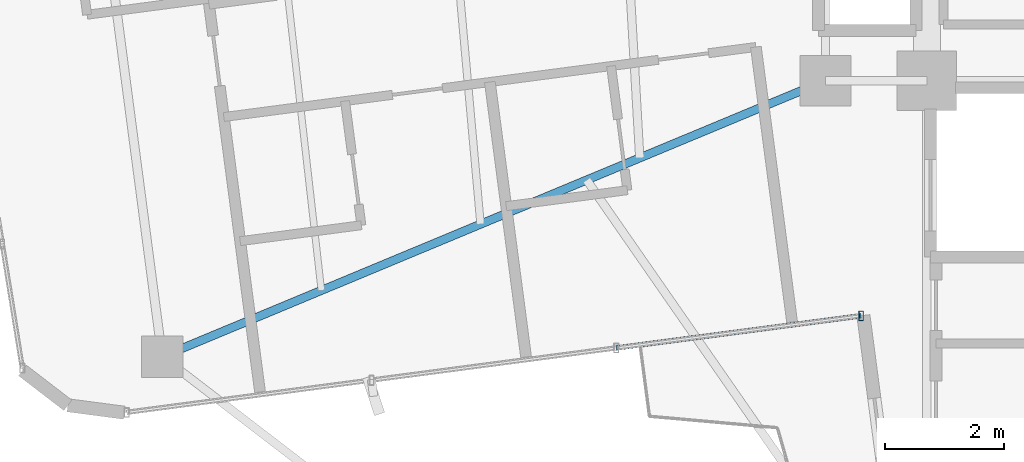
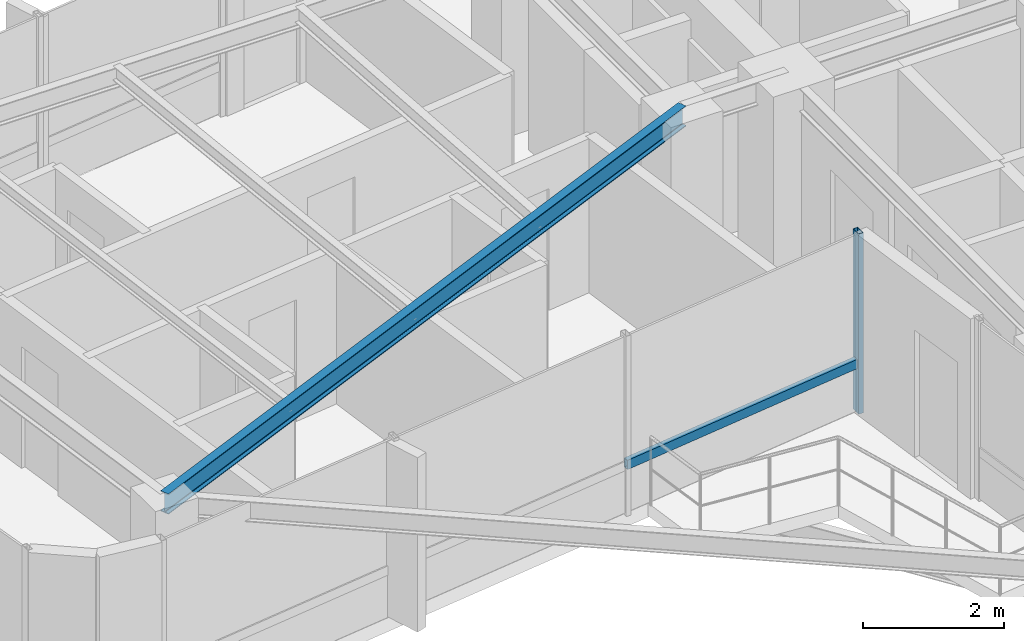
# One storey, part 3 of 21: 2 members, 1 beam, 1 element without a shape of its own.
"""IFC4 building model written with IfcOpenShell, lengths in metres."""

from ifc_helpers import new_model, si_unit, direction, frame, origin, origin_2d, place, context, subcontext, project, spatial, hollow_rectangle, i_section, extrude, source, transform, mapped, material, material_profile, profile_set, type_object, element, aggregate, save


model = new_model("IFC4")

# Units and contexts
model_context = context("Model", 3, precision=1e-05, world=origin(), true_north=direction((0.0, 1.0)))
body_context = subcontext(model_context, "Body", "Model", "MODEL_VIEW")
ifc_project = project(units=[si_unit("LENGTHUNIT", "METRE"), si_unit("AREAUNIT", "SQUARE_METRE"), si_unit("VOLUMEUNIT", "CUBIC_METRE"), si_unit("PLANEANGLEUNIT", "RADIAN"), si_unit("MASSUNIT", "GRAM", prefix="KILO")], contexts=[model_context])

# Site, building, storey
site_placement = place(None, origin())
site = spatial("IfcSite", under=ifc_project, at=site_placement, CompositionType="ELEMENT")
building_placement = place(site_placement, origin())
building = spatial("IfcBuilding", under=site, at=building_placement, Name="Sahyath Konkavel Grand Hotel", CompositionType="ELEMENT")
storey_placement = place(building_placement, frame((0.0, 0.0, 209.85009765625)))
storey = spatial("IfcBuildingStorey", under=building, at=storey_placement, Name="L58", CompositionType="ELEMENT", Elevation=209.85009765625)

# Beam
ifc_material_1 = material(Name="Steel E350", Category="steel")
ifc_material_profile_1 = material_profile(ifc_material_1, i_section(OverallWidth=0.139892578125, OverallDepth=0.35009765625, WebThickness=0.008056640625, FlangeThickness=0.01416015625, FilletRadius=0.013916015625, at=origin_2d()), Name="ISMB 350")
ifc_profile_set_1 = profile_set([ifc_material_profile_1], Name="Steel E350")
beam_type = type_object("IfcBeamType", Name="BM-ISMB350", PredefinedType="BEAM", material=ifc_profile_set_1)
shared_shape_1 = source(origin(), body_context, "Body", "SweptSolid", [
    extrude(i_section(OverallWidth=0.139892578125, OverallDepth=0.35009765625, WebThickness=0.008056640625, FlangeThickness=0.01416015625, FilletRadius=0.013916015625, at=origin_2d()), origin(), (0.0, 0.0, 1.0), 12.049560546875),
])
beam_placement = place(storey_placement, frame((-5.5, -2.39990234375, 2.934814453125), z_axis=(-0.923226714744, -0.384255687248, 0.0), x_axis=(0.384255687248, -0.923226714744, 0.0)))
element("IfcBeam", 1, at=beam_placement, inside=storey, type_object=beam_type, Name="L58 Cruciform Radial Girder WB", PredefinedType="BEAM", context=body_context, shape_type="MappedRepresentation", body=[
    mapped(shared_shape_1, transform((0.0, 0.0, 0.0), scale=1.0)),
])

# Curtain wall, members
ifc_material_2 = material(Name="Anodised Bronze Aluminium & Low-E Glazing", Category="aluminium")
curtain_wall_type = type_object("IfcCurtainWallType", Name="CW-ZONE4", PredefinedType="NOTDEFINED", material=ifc_material_2)
curtain_wall_placement = place(storey_placement, origin())
curtain_wall = element("IfcCurtainWall", 2, at=curtain_wall_placement, inside=storey, type_object=curtain_wall_type, Name="L58 Unitised Curtain Wall F23", PredefinedType="NOTDEFINED")
ifc_material_3 = material(Name="Anodised Bronze Aluminium", Category="aluminium")
ifc_material_profile_2 = material_profile(ifc_material_3, hollow_rectangle(XDim=0.080078125, YDim=0.159912109375, WallThickness=0.006103515625, at=origin_2d()), Name="RHS 160x80x6")
ifc_profile_set_2 = profile_set([ifc_material_profile_2], Name="Anodised Bronze Aluminium")
member_type_1 = type_object("IfcMemberType", Name="CW-MUL-160", PredefinedType="MULLION", material=ifc_profile_set_2)
shared_shape_2 = source(origin(), body_context, "Body", "SweptSolid", [
    extrude(hollow_rectangle(XDim=0.080078125, YDim=0.159912109375, WallThickness=0.006103515625, at=origin_2d()), origin(), (0.0, 0.0, 1.0), 3.10986328125),
])
member_1_placement = place(storey_placement, frame((-4.90380859375, -6.34423828125, 0.0), z_axis=(0.0, 0.0, 1.0), x_axis=(1.0, 0.0, 0.0)))
member_1 = element("IfcMember", 3, at=member_1_placement, type_object=member_type_1, Name="L58 Curtain Wall Mullion F23-3", PredefinedType="MULLION", context=body_context, shape_type="MappedRepresentation", body=[
    mapped(shared_shape_2, transform((0.0, 0.0, 0.0), scale=1.0)),
])
ifc_material_profile_3 = material_profile(ifc_material_3, hollow_rectangle(XDim=0.080078125, YDim=0.159912109375, WallThickness=0.006103515625, at=origin_2d()), Name="RHS 160x80x6")
ifc_profile_set_3 = profile_set([ifc_material_profile_3], Name="Anodised Bronze Aluminium")
member_type_2 = type_object("IfcMemberType", Name="CW-TRN-160", PredefinedType="USERDEFINED", material=ifc_profile_set_3)
shared_shape_3 = source(origin(), body_context, "Body", "SweptSolid", [
    extrude(hollow_rectangle(XDim=0.080078125, YDim=0.159912109375, WallThickness=0.006103515625, at=origin_2d()), origin(), (0.0, 0.0, 1.0), 4.14013671875),
])
member_2_placement = place(storey_placement, frame((-9.008544921875, -6.884765625, 0.849853515625), z_axis=(0.99144084268, 0.130556713596, 0.0), x_axis=(-0.130556713596, 0.99144084268, 0.0)))
member_2 = element("IfcMember", 4, at=member_2_placement, type_object=member_type_2, Name="L58 Curtain Wall Transom F23-2-spandrel", ObjectType="TRANSOM", PredefinedType="USERDEFINED", context=body_context, shape_type="MappedRepresentation", body=[
    mapped(shared_shape_3, transform((0.0, 0.0, 0.0), scale=1.0)),
])
aggregate(curtain_wall, [member_1, member_2])

save(model, "model.ifc")
